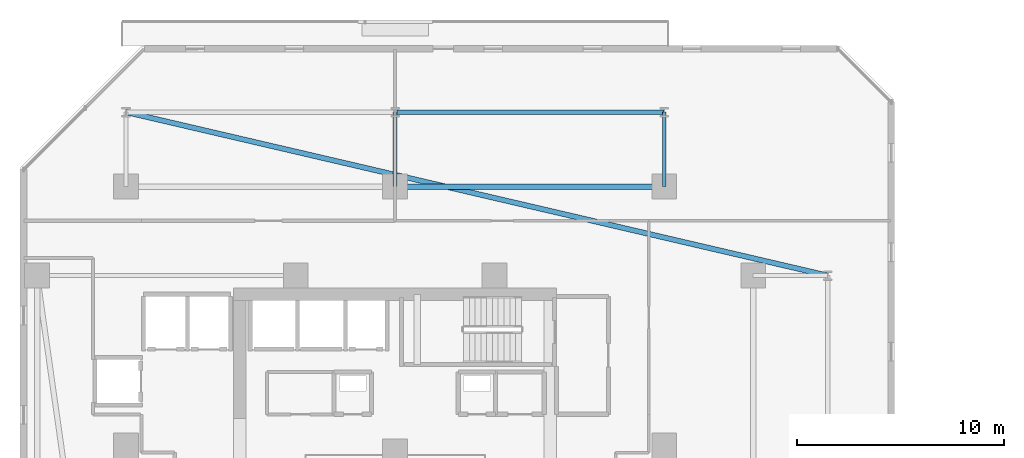
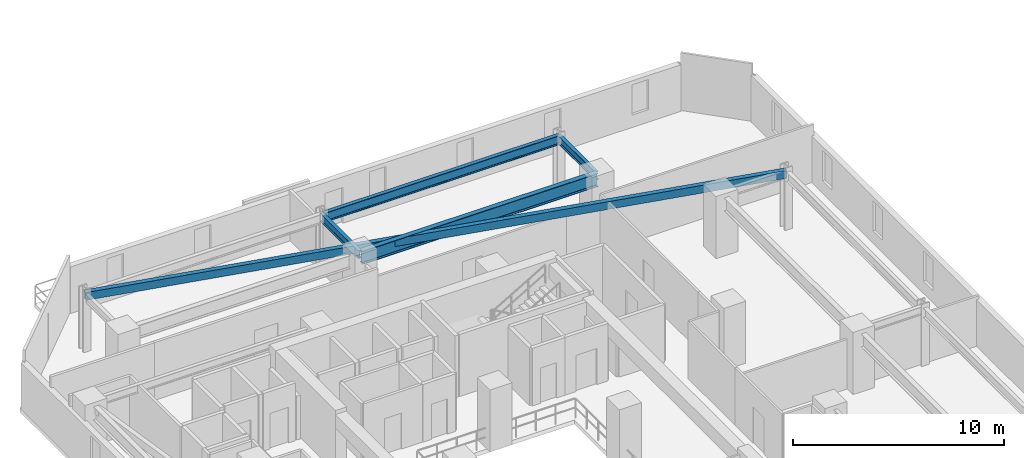
# One storey, part 9 of 30: 5 beams.
"""IFC4 building model written with IfcOpenShell, lengths in metres."""

from ifc_helpers import new_model, si_unit, direction, frame, origin, origin_2d, place, context, subcontext, project, spatial, hollow_rectangle, i_section, extrude, material, material_profile, profile_set, type_object, element, save


model = new_model("IFC4")

# Units and contexts
model_context = context("Model", 3, precision=1e-05, world=origin(), true_north=direction((0.0, 1.0)))
body_context = subcontext(model_context, "Body", "Model", "MODEL_VIEW")
ifc_project = project(units=[si_unit("LENGTHUNIT", "METRE"), si_unit("AREAUNIT", "SQUARE_METRE"), si_unit("VOLUMEUNIT", "CUBIC_METRE"), si_unit("PLANEANGLEUNIT", "RADIAN"), si_unit("MASSUNIT", "GRAM", prefix="KILO")], contexts=[model_context])

# Site, building, storey
site_placement = place(None, origin())
site = spatial("IfcSite", under=ifc_project, at=site_placement, CompositionType="ELEMENT")
building_placement = place(site_placement, origin())
building = spatial("IfcBuilding", under=site, at=building_placement, Name="Thornwick Lancets Civic Towers", CompositionType="ELEMENT")
storey_placement = place(building_placement, frame((0.0, 0.0, 80.10009765625)))
storey = spatial("IfcBuildingStorey", under=building, at=storey_placement, Name="L20", CompositionType="ELEMENT", Elevation=80.10009765625)

# Beams
ifc_material = material(Name="Steel S355JR", Category="steel")
ifc_material_profile_1 = material_profile(ifc_material, i_section(OverallWidth=0.2119140625, OverallDepth=0.54443359375, WebThickness=0.0126953125, FlangeThickness=0.021240234375, FilletRadius=0.0126953125, at=origin_2d()), Name="UKB 533x210x122")
ifc_profile_set_1 = profile_set([ifc_material_profile_1], Name="Steel S355JR")
beam_type_1 = type_object("IfcBeamType", Name="BM_EDGE_533_122", PredefinedType="SPANDREL", material=ifc_profile_set_1)
beam_1_placement = place(storey_placement, frame((25.580078125, 47.89990234375, 3.087646484375), z_axis=(1.0, 0.0, 0.0), x_axis=(0.0, 1.0, 0.0)))
element("IfcBeam", 1, at=beam_1_placement, inside=storey, type_object=beam_type_1, Name="BM-EDGE-L20-A-S2-2", PredefinedType="SPANDREL", context=body_context, shape_type="SweptSolid", body=[
    extrude(i_section(OverallWidth=0.2119140625, OverallDepth=0.54443359375, WebThickness=0.0126953125, FlangeThickness=0.021240234375, FilletRadius=0.0126953125, at=origin_2d()), origin(), (0.0, 0.0, 1.0), 12.919921875),
])
ifc_material_profile_2 = material_profile(ifc_material, i_section(OverallWidth=0.26806640625, OverallDepth=0.769775390625, WebThickness=0.015625, FlangeThickness=0.025390625, FilletRadius=0.0166015625, at=origin_2d()), Name="UKB 762x267x197")
ifc_profile_set_2 = profile_set([ifc_material_profile_2], Name="Steel S355JR")
beam_type_2 = type_object("IfcBeamType", Name="BM_GIRD_762_197", PredefinedType="BEAM", material=ifc_profile_set_2)
beam_2_placement = place(storey_placement, frame((25.580078125, 44.300048828125, 2.97509765625), z_axis=(1.0, 0.0, 0.0), x_axis=(0.0, 1.0, 0.0)))
element("IfcBeam", 2, at=beam_2_placement, inside=storey, type_object=beam_type_2, Name="BM-SPINE-L20-A-7-8", PredefinedType="BEAM", context=body_context, shape_type="SweptSolid", body=[
    extrude(i_section(OverallWidth=0.26806640625, OverallDepth=0.769775390625, WebThickness=0.015625, FlangeThickness=0.025390625, FilletRadius=0.0166015625, at=origin_2d()), origin(), (0.0, 0.0, 1.0), 12.919921875),
])
ifc_material_profile_3 = material_profile(ifc_material, i_section(OverallWidth=0.19189453125, OverallDepth=0.46337890625, WebThickness=0.010498046875, FlangeThickness=0.017578125, FilletRadius=0.01025390625, at=origin_2d()), Name="UKB 457x191x89")
ifc_profile_set_3 = profile_set([ifc_material_profile_3], Name="Steel S355JR")
beam_type_3 = type_object("IfcBeamType", Name="BM_JOIST_457_89", PredefinedType="JOIST", material=ifc_profile_set_3)
for number, where, z_axis, x_axis, name in (
    (3, (25.5, 44.300048828125, 3.128173828125), (0.0, 1.0, 0.0), (-1.0, 0.0, 0.0), "BM-RAD-L20-A08"),
    (4, (38.5, 44.300048828125, 3.128173828125), (0.0, 1.0, 0.0), (-1.0, 0.0, 0.0), "BM-RAD-L20-A09"),
):
    element("IfcBeam", number, at=place(storey_placement, frame(where, z_axis=z_axis, x_axis=x_axis)), inside=storey, type_object=beam_type_3, Name=name, PredefinedType="JOIST", context=body_context, shape_type="SweptSolid", body=[
        extrude(i_section(OverallWidth=0.19189453125, OverallDepth=0.46337890625, WebThickness=0.010498046875, FlangeThickness=0.017578125, FilletRadius=0.01025390625, at=origin_2d()), origin(), (0.0, 0.0, 1.0), 3.599853515625),
    ])
ifc_material_profile_4 = material_profile(ifc_material, hollow_rectangle(XDim=0.25, YDim=0.449951171875, WallThickness=0.01611328125, at=origin_2d()), Name="RHS 450x250x16")
ifc_profile_set_4 = profile_set([ifc_material_profile_4], Name="Steel S355JR")
beam_type_4 = type_object("IfcBeamType", Name="BM_RING_RHS450", PredefinedType="BEAM", material=ifc_profile_set_4)
beam_3_placement = place(storey_placement, frame((46.39990234375, 40.0, 3.135009765625), z_axis=(-0.973905219823, 0.226955111866, 0.0), x_axis=(-0.226955111866, -0.973905219823, 0.0)))
element("IfcBeam", 5, at=beam_3_placement, inside=storey, type_object=beam_type_4, Name="BM-CHAMF-L20-A-C1", PredefinedType="BEAM", context=body_context, shape_type="SweptSolid", body=[
    extrude(hollow_rectangle(XDim=0.25, YDim=0.449951171875, WallThickness=0.01611328125, at=origin_2d()), origin(), (0.0, 0.0, 1.0), 34.80810546875),
])

save(model, "model.ifc")
